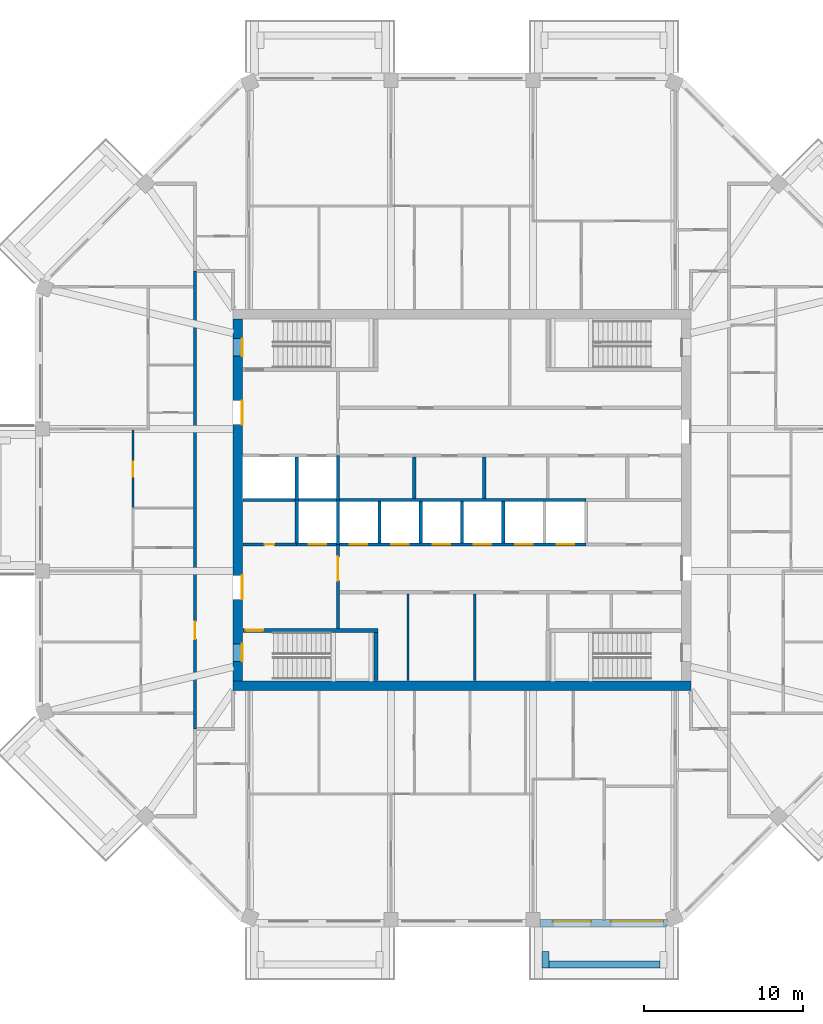
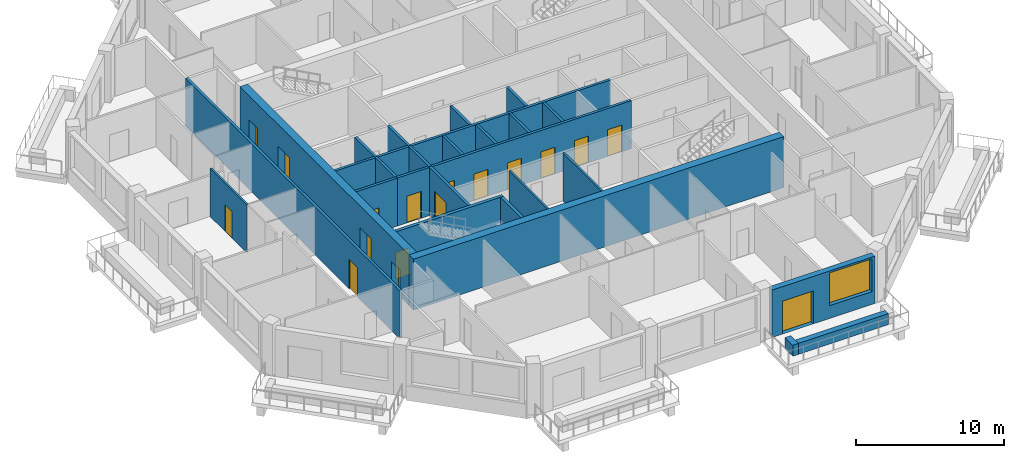
# One storey, part 4 of 12: 25 walls, 17 doors, 1 window, 18 openings.
"""IFC4 building model written with IfcOpenShell, lengths in metres."""

import ifcopenshell
import ifcopenshell.guid

model = None  # the IFC model being written
_history = None  # IfcOwnerHistory: only IFC2X3 demands one
_inside = {}  # id of a spatial element -> (the spatial element, [elements in it])
_under = {}  # id of a project, library or spatial element -> (it, [spatial elements below it])
_declared = {}  # id of a project -> (the project, [libraries it declares])
_typed = {}  # id of a type object -> (the type object, [elements of that type])
_made_of = {}  # id of a material, layer set ... -> (it, [elements and type objects made of it])


def new_model(schema):
    """Start an empty IFC model of exactly this schema.

    Asked for "IFC4X3", IfcOpenShell would pick the latest addendum, in which some entities
    have other attributes; the version numbers below select the first issue.
    IFC2X3 requires an IfcOwnerHistory on every rooted entity: one is made here for all.
    """
    global model, _history
    if schema == "IFC4X3":
        model = ifcopenshell.file(schema_version=(4, 3, 0, 0))
    else:
        model = ifcopenshell.file(schema=schema)
    _inside.clear()
    _under.clear()
    _declared.clear()
    _typed.clear()
    _made_of.clear()
    _history = None
    if model.schema == "IFC2X3":
        org = make("IfcOrganization", Name="unknown")
        user = make(
            "IfcPersonAndOrganization",
            ThePerson=make("IfcPerson", FamilyName="unknown"),
            TheOrganization=org,
        )
        app = make(
            "IfcApplication",
            ApplicationDeveloper=org,
            Version="unknown",
            ApplicationFullName="unknown",
            ApplicationIdentifier="unknown",
        )
        _history = make(
            "IfcOwnerHistory",
            OwningUser=user,
            OwningApplication=app,
            ChangeAction="ADDED",
            CreationDate=0,
        )
    return model


def make(cls, **values):
    """One entity of the class cls with the attributes given. An attribute that is None is left unset."""
    return model.create_entity(
        cls, **{name: value for name, value in values.items() if value is not None}
    )


def rooted(cls, **values):
    """An entity with a GlobalId (a new one), such as an element, a storey or a relation."""
    return make(cls, GlobalId=ifcopenshell.guid.new(), OwnerHistory=_history, **values)


def si_unit(unit_type, name, prefix=None):
    """IfcSIUnit, for example si_unit("LENGTHUNIT", "METRE", prefix="MILLI")."""
    return make("IfcSIUnit", UnitType=unit_type, Prefix=prefix, Name=name)


def assignment(units):
    """IfcUnitAssignment: the units of a project."""
    return None if units is None else make("IfcUnitAssignment", Units=units)


def point(xyz):
    """IfcCartesianPoint."""
    return None if xyz is None else make("IfcCartesianPoint", Coordinates=xyz)


def direction(xyz):
    """IfcDirection."""
    return None if xyz is None else make("IfcDirection", DirectionRatios=xyz)


def frame(location, z_axis=None, x_axis=None):
    """IfcAxis2Placement3D, a coordinate frame: its origin and axes. An axis left out is left unset."""
    return make(
        "IfcAxis2Placement3D",
        Location=point(location),
        Axis=direction(z_axis),
        RefDirection=direction(x_axis),
    )


def frame_2d(location, x_axis=None):
    """IfcAxis2Placement2D, a coordinate frame in the plane: its origin and x axis."""
    return make(
        "IfcAxis2Placement2D", Location=point(location), RefDirection=direction(x_axis)
    )


def origin():
    """The frame at (0, 0, 0) with its axes left unset."""
    return frame((0.0, 0.0, 0.0))


def place(relative_to, where):
    """IfcLocalPlacement: puts the frame where relative to a parent placement (None: the world)."""
    return make(
        "IfcLocalPlacement", PlacementRelTo=relative_to, RelativePlacement=where
    )


def context(
    kind, dimensions, precision=None, world=None, true_north=None, identifier=None
):
    """IfcGeometricRepresentationContext, for example the 3D "Model" context."""
    return make(
        "IfcGeometricRepresentationContext",
        ContextIdentifier=identifier,
        ContextType=kind,
        CoordinateSpaceDimension=dimensions,
        Precision=precision,
        WorldCoordinateSystem=world,
        TrueNorth=true_north,
    )


def subcontext(parent, identifier, kind, view, scale=None):
    """IfcGeometricRepresentationSubContext, for example "Body" below "Model"."""
    return make(
        "IfcGeometricRepresentationSubContext",
        ContextIdentifier=identifier,
        ContextType=kind,
        ParentContext=parent,
        TargetScale=scale,
        TargetView=view,
    )


def project(units=None, contexts=None):
    """IfcProject with its units and contexts."""
    return rooted(
        "IfcProject",
        Name="project",
        RepresentationContexts=contexts,
        UnitsInContext=assignment(units),
    )


def spatial(cls, under=None, at=None, **own):
    """A site, building, storey or space (cls), placed at a placement, below another one or the project."""
    s = rooted(cls, ObjectPlacement=at, **own)
    if under is not None:
        _under.setdefault(under.id(), (under, []))[1].append(s)
    return s


def profile(cls, at=None, kind="AREA", **sizes):
    """A parametric profile (cls). Its sizes go by their IFC names, for example OverallWidth=200.0."""
    return make(cls, ProfileType=kind, Position=at, **sizes)


def rectangle(**sizes):
    """IfcRectangleProfileDef."""
    return profile("IfcRectangleProfileDef", **sizes)


def extrude(swept, where, along, depth):
    """IfcExtrudedAreaSolid: the profile swept, set in the frame where, extruded along a direction by depth."""
    return make(
        "IfcExtrudedAreaSolid",
        SweptArea=swept,
        Position=where,
        ExtrudedDirection=direction(along),
        Depth=depth,
    )


def shape(context_of_items, identifier, shape_type, items):
    """IfcShapeRepresentation: the items that make up one representation, for example the "Body"."""
    return make(
        "IfcShapeRepresentation",
        ContextOfItems=context_of_items,
        RepresentationIdentifier=identifier,
        RepresentationType=shape_type,
        Items=items,
    )


def material(Name=None, Category=None):
    """IfcMaterial."""
    return make("IfcMaterial", Name=Name, Category=Category)


def layer(
    of_material, thickness, ventilated=None, Name=None, Category=None, Priority=None
):
    """IfcMaterialLayer: one layer of a wall or slab, of a material (None: an air gap)."""
    return make(
        "IfcMaterialLayer",
        Material=of_material,
        LayerThickness=thickness,
        IsVentilated=ventilated,
        Name=Name,
        Category=Category,
        Priority=Priority,
    )


def layer_set(layers, Name=None):
    """IfcMaterialLayerSet."""
    return make("IfcMaterialLayerSet", MaterialLayers=layers, LayerSetName=Name)


def made_of(thing, what):
    """Note that an element or type object is made of a material, layer set ...; save() writes the relation."""
    if what is not None:
        _made_of.setdefault(what.id(), (what, []))[1].append(thing)
    return thing


def type_object(cls, material=None, **own):
    """A type object (cls), such as IfcWallType, which elements share."""
    return made_of(rooted(cls, **own), material)


def element(
    cls,
    number,
    at=None,
    inside=None,
    cuts=None,
    type_object=None,
    material=None,
    context=None,
    identifier="Body",
    shape_type=None,
    held_by="IfcProductDefinitionShape",
    body=None,
    shapes=None,
    **own,
):
    """One element of the class cls, such as IfcWall. Its Tag is "e" and its number.

    at: its placement. inside: the storey or other place that contains it. cuts: it is an
    opening in that element (IfcRelVoidsElement). A single representation is given by context,
    identifier, shape_type and body (its items); several are given by shapes. held_by: the class
    of the entity that holds the representations. save() writes the other relations.
    """
    e = rooted(cls, Tag="e%d" % number, ObjectPlacement=at, **own)
    if body is not None:
        shapes = [shape(context, identifier, shape_type, body)]
    if shapes is not None:
        e.Representation = make(held_by, Representations=shapes)
    if inside is not None:
        _inside.setdefault(inside.id(), (inside, []))[1].append(e)
    if cuts is not None:
        rooted(
            "IfcRelVoidsElement", RelatingBuildingElement=cuts, RelatedOpeningElement=e
        )
    if type_object is not None:
        _typed.setdefault(type_object.id(), (type_object, []))[1].append(e)
    return made_of(e, material)


def fill(opening, filler):
    """IfcRelFillsElement: the door or window that sits in an opening."""
    return rooted(
        "IfcRelFillsElement",
        RelatingOpeningElement=opening,
        RelatedBuildingElement=filler,
    )


def aggregate(whole, parts):
    """IfcRelAggregates: a whole, such as a stair, and the parts it consists of."""
    return rooted("IfcRelAggregates", RelatingObject=whole, RelatedObjects=parts)


def save(model, path):
    """Write the relations noted so far, then the file.

    IfcRelAggregates (storeys below a building ...), IfcRelContainedInSpatialStructure (elements
    in a storey), IfcRelDefinesByType, IfcRelAssociatesMaterial and IfcRelDeclares: one each for
    every whole, place, type object, material and project.
    """
    for whole, parts in _under.values():
        aggregate(whole, parts)
    for where, things in _inside.values():
        rooted(
            "IfcRelContainedInSpatialStructure",
            RelatedElements=things,
            RelatingStructure=where,
        )
    for kind, things in _typed.values():
        rooted("IfcRelDefinesByType", RelatedObjects=things, RelatingType=kind)
    for what, things in _made_of.values():
        rooted("IfcRelAssociatesMaterial", RelatedObjects=things, RelatingMaterial=what)
    for by, libraries in _declared.values():
        rooted("IfcRelDeclares", RelatingContext=by, RelatedDefinitions=libraries)
    model.write(path)


model = new_model("IFC4")

# Units and contexts
model_context = context("Model", 3, precision=1e-05, world=origin(), true_north=direction((0.0, 1.0)))
body_context = subcontext(model_context, "Body", "Model", "MODEL_VIEW")
ifc_project = project(units=[si_unit("LENGTHUNIT", "METRE"), si_unit("AREAUNIT", "SQUARE_METRE"), si_unit("VOLUMEUNIT", "CUBIC_METRE"), si_unit("PLANEANGLEUNIT", "RADIAN"), si_unit("MASSUNIT", "GRAM", prefix="KILO")], contexts=[model_context])

# Site, building, storey
site_placement = place(None, origin())
site = spatial("IfcSite", under=ifc_project, at=site_placement, CompositionType="ELEMENT")
building_placement = place(site_placement, origin())
building = spatial("IfcBuilding", under=site, at=building_placement, Name="Msitu Wima Residences", CompositionType="ELEMENT")
storey_placement = place(building_placement, frame((0.0, 0.0, 218.10009765625)))
storey = spatial("IfcBuildingStorey", under=building, at=storey_placement, Name="L50", CompositionType="ELEMENT", Elevation=218.10009765625)

# Walls
ifc_material_1 = material(Name="Facing brick")
ifc_layer_1 = layer(ifc_material_1, 0.06494140625, Name="Facing brick")
ifc_material_2 = material(Name="Concrete C40/50", Category="concrete")
ifc_layer_2 = layer(ifc_material_2, 0.156005859375, Name="Concrete C40/50")
ifc_material_3 = material(Name="Waterproofing membrane")
ifc_layer_3 = layer(ifc_material_3, 0.00390625, Name="Waterproofing membrane")
ifc_material_4 = material(Name="Planting soil and planting")
ifc_layer_4 = layer(ifc_material_4, 0.22509765625, Name="Planting soil and planting")
ifc_layer_set_1 = layer_set([ifc_layer_1, ifc_layer_2, ifc_layer_3, ifc_layer_4], Name="Concrete C40/50")
wall_type_1 = type_object("IfcWallType", Name="Balcony planter PLANTER PL450", PredefinedType="USERDEFINED", material=ifc_layer_set_1)
wall_1_placement = place(storey_placement, frame((5.468505859375, -29.22509765625, 0.0), z_axis=(0.0, 0.0, 1.0), x_axis=(1.0, 0.0, 0.0)))
element("IfcWall", 1, at=wall_1_placement, inside=storey, type_object=wall_type_1, Name="Balcony planter S2 L50", ObjectType="PLANTER", PredefinedType="USERDEFINED", context=body_context, shape_type="SweptSolid", body=[
    extrude(rectangle(XDim=6.9873046875, YDim=0.449951171875, at=frame_2d((3.49365234375, 0.0))), origin(), (0.0, 0.0, 1.0), 0.89990234375),
])
wall_2_placement = place(storey_placement, frame((5.24365234375, -28.39990234375, 0.0), z_axis=(0.0, 0.0, 1.0), x_axis=(0.0, -1.0, 0.0)))
element("IfcWall", 2, at=wall_2_placement, inside=storey, type_object=wall_type_1, Name="Balcony planter S2 L50", ObjectType="PLANTER", PredefinedType="USERDEFINED", context=body_context, shape_type="SweptSolid", body=[
    extrude(rectangle(XDim=1.050048828125, YDim=0.449951171875, at=frame_2d((0.52490234375, 0.0))), origin(), (0.0, 0.0, 1.0), 0.89990234375),
])

# Wall, openings, door, window
ifc_material_5 = material(Name="Brick (red buff mix)", Category="masonry")
ifc_layer_5 = layer(ifc_material_5, 0.449951171875)
ifc_layer_set_2 = layer_set([ifc_layer_5], Name="Brick (red buff mix)")
wall_type_2 = type_object("IfcWallType", Name="Brick infill wall BW450", PredefinedType="SOLIDWALL", material=ifc_layer_set_2)
wall_3_placement = place(storey_placement, frame((4.918701171875, -26.625, 0.0), z_axis=(0.0, 0.0, 1.0), x_axis=(1.0, 0.0, 0.0)))
wall_3 = element("IfcWall", 3, at=wall_3_placement, inside=storey, type_object=wall_type_2, Name="Brick infill wall L50 S2", PredefinedType="SOLIDWALL", context=body_context, shape_type="SweptSolid", body=[
    extrude(rectangle(XDim=8.0, YDim=0.449951171875, at=frame_2d((4.0, 0.0))), origin(), (0.0, 0.0, 1.0), 3.89990234375),
])
opening_1_placement = place(wall_3_placement, frame((0.800048828125, 0.0, 0.0)))
opening_1 = element("IfcOpeningElement", 4, at=opening_1_placement, cuts=wall_3, Name="Opening D50-51.007", PredefinedType="OPENING", context=body_context, shape_type="SweptSolid", body=[
    extrude(rectangle(XDim=2.39990234375, YDim=2.699951171875, at=frame_2d((1.199951171875, 1.35009765625))), frame((0.0, 0.23486328125, 0.0), z_axis=(0.0, -1.0, 0.0), x_axis=(1.0, 0.0, 0.0)), (0.0, 0.0, 1.0), 0.469970703125),
])
opening_2_placement = place(wall_3_placement, frame((4.4501953125, 0.0, 1.050048828125)))
opening_2 = element("IfcOpeningElement", 5, at=opening_2_placement, cuts=wall_3, Name="Opening W50-51.019", PredefinedType="OPENING", context=body_context, shape_type="SweptSolid", body=[
    extrude(rectangle(XDim=3.300048828125, YDim=2.699951171875, at=frame_2d((1.64990234375, 1.35009765625))), frame((0.0, 0.23486328125, 0.0), z_axis=(0.0, -1.0, 0.0), x_axis=(1.0, 0.0, 0.0)), (0.0, 0.0, 1.0), 0.469970703125),
])
ifc_material_6 = material(Name="Anodised aluminium, bronze finish, clear low-emissivity double glazing", Category="aluminium")
door_type_1 = type_object("IfcDoorType", Name="Balcony door D2400x2700", OperationType="SLIDING_TO_LEFT", PredefinedType="DOOR", material=ifc_material_6)
door_1_placement = place(opening_1_placement, origin())
door_1 = element("IfcDoor", 6, at=door_1_placement, inside=storey, type_object=door_type_1, Name="Balcony door L50 S2", OperationType="SINGLE_SWING_LEFT", OverallHeight=2.699951171875, OverallWidth=2.39990234375, PredefinedType="DOOR", context=body_context, shape_type="SweptSolid", body=[
    extrude(rectangle(XDim=2.39990234375, YDim=2.699951171875, at=frame_2d((1.199951171875, 1.35009765625))), frame((0.0, 0.1298828125, 0.0), z_axis=(0.0, -1.0, 0.0), x_axis=(1.0, 0.0, 0.0)), (0.0, 0.0, 1.0), 0.050048828125),
])
fill(opening_1, door_1)
window_type = type_object("IfcWindowType", Name="Window W3300x2700", PartitioningType="DOUBLE_PANEL_VERTICAL", PredefinedType="WINDOW", material=ifc_material_6)
window_placement = place(opening_2_placement, origin())
window = element("IfcWindow", 7, at=window_placement, inside=storey, type_object=window_type, Name="Window L50 S2.2", OverallHeight=2.699951171875, OverallWidth=3.300048828125, PartitioningType="SINGLE_PANEL", PredefinedType="WINDOW", context=body_context, shape_type="SweptSolid", body=[
    extrude(rectangle(XDim=3.300048828125, YDim=2.699951171875, at=frame_2d((1.64990234375, 1.35009765625))), frame((0.0, 0.135009765625, 0.0), z_axis=(0.0, -1.0, 0.0), x_axis=(1.0, 0.0, 0.0)), (0.0, 0.0, 1.0), 0.06005859375),
])
fill(opening_2, window)

# Wall
ifc_material_7 = material(Name="Concrete C50/60", Category="concrete")
ifc_layer_6 = layer(ifc_material_7, 0.60009765625)
ifc_layer_set_3 = layer_set([ifc_layer_6], Name="Concrete C50/60")
wall_type_3 = type_object("IfcWallType", Name="Core wall CW600 C50/60", PredefinedType="SHEAR", material=ifc_layer_set_3)
wall_4_placement = place(storey_placement, frame((-14.39990234375, -11.699951171875, 0.0), z_axis=(0.0, 0.0, 1.0), x_axis=(1.0, 0.0, 0.0)))
element("IfcWall", 8, at=wall_4_placement, inside=storey, type_object=wall_type_3, Name="Core wall", PredefinedType="SHEAR", context=body_context, shape_type="SweptSolid", body=[
    extrude(rectangle(XDim=28.7998046875, YDim=0.60009765625, at=frame_2d((14.39990234375, 0.0))), origin(), (0.0, 0.0, 1.0), 4.199951171875),
])

# Wall, openings, doors
wall_5_placement = place(storey_placement, frame((-14.10009765625, -11.39990234375, 0.0), z_axis=(0.0, 0.0, 1.0), x_axis=(0.0, 1.0, 0.0)))
wall_5 = element("IfcWall", 9, at=wall_5_placement, inside=storey, type_object=wall_type_3, Name="Core wall", PredefinedType="SHEAR", context=body_context, shape_type="SweptSolid", body=[
    extrude(rectangle(XDim=22.7998046875, YDim=0.60009765625, at=frame_2d((11.39990234375, 0.0))), origin(), (0.0, 0.0, 1.0), 4.199951171875),
])
opening_3_placement = place(wall_5_placement, frame((20.449951171875, 0.0, 0.0)))
opening_3 = element("IfcOpeningElement", 10, at=opening_3_placement, cuts=wall_5, Name="Opening D50-51.080", PredefinedType="OPENING", context=body_context, shape_type="SweptSolid", body=[
    extrude(rectangle(XDim=1.10009765625, YDim=2.199951171875, at=frame_2d((0.550048828125, 1.10009765625))), frame((0.0, 0.31005859375, 0.0), z_axis=(0.0, -1.0, 0.0), x_axis=(1.0, 0.0, 0.0)), (0.0, 0.0, 1.0), 0.6201171875),
])
opening_4_placement = place(wall_5_placement, frame((1.25, 0.0, 0.0)))
opening_4 = element("IfcOpeningElement", 11, at=opening_4_placement, cuts=wall_5, Name="Opening D50-51.082", PredefinedType="OPENING", context=body_context, shape_type="SweptSolid", body=[
    extrude(rectangle(XDim=1.10009765625, YDim=2.199951171875, at=frame_2d((0.550048828125, 1.10009765625))), frame((0.0, 0.31005859375, 0.0), z_axis=(0.0, -1.0, 0.0), x_axis=(1.0, 0.0, 0.0)), (0.0, 0.0, 1.0), 0.6201171875),
])
opening_5_placement = place(wall_5_placement, frame((16.14990234375, 0.0, 0.0)))
opening_5 = element("IfcOpeningElement", 12, at=opening_5_placement, cuts=wall_5, Name="Opening D50-51.061", PredefinedType="OPENING", context=body_context, shape_type="SweptSolid", body=[
    extrude(rectangle(XDim=1.5, YDim=2.39990234375, at=frame_2d((0.75, 1.199951171875))), frame((0.0, 0.31005859375, 0.0), z_axis=(0.0, -1.0, 0.0), x_axis=(1.0, 0.0, 0.0)), (0.0, 0.0, 1.0), 0.6201171875),
])
opening_6_placement = place(wall_5_placement, frame((5.14990234375, 0.0, 0.0)))
opening_6 = element("IfcOpeningElement", 13, at=opening_6_placement, cuts=wall_5, Name="Opening D50-51.063", PredefinedType="OPENING", context=body_context, shape_type="SweptSolid", body=[
    extrude(rectangle(XDim=1.5, YDim=2.39990234375, at=frame_2d((0.75, 1.199951171875))), frame((0.0, 0.31005859375, 0.0), z_axis=(0.0, -1.0, 0.0), x_axis=(1.0, 0.0, 0.0)), (0.0, 0.0, 1.0), 0.6201171875),
])
ifc_material_8 = material(Name="Steel framed glazed door, fire resisting", Category="steel")
door_type_2 = type_object("IfcDoorType", Name="Lobby door D07 1500x2400", OperationType="DOUBLE_DOOR_SINGLE_SWING", PredefinedType="DOOR", material=ifc_material_8)
door_2_placement = place(opening_5_placement, origin())
door_2 = element("IfcDoor", 14, at=door_2_placement, inside=storey, type_object=door_type_2, Name="Lobby door", OperationType="DOUBLE_DOOR_SINGLE_SWING", OverallHeight=2.39990234375, OverallWidth=1.5, PredefinedType="DOOR", context=body_context, shape_type="SweptSolid", body=[
    extrude(rectangle(XDim=1.5, YDim=2.39990234375, at=frame_2d((0.75, 1.199951171875))), frame((0.0, -0.2451171875, 0.0), z_axis=(0.0, -1.0, 0.0), x_axis=(1.0, 0.0, 0.0)), (0.0, 0.0, 1.0), 0.050048828125),
])
fill(opening_5, door_2)
door_3_placement = place(opening_6_placement, origin())
door_3 = element("IfcDoor", 15, at=door_3_placement, inside=storey, type_object=door_type_2, Name="Lobby door", OperationType="DOUBLE_DOOR_SINGLE_SWING", OverallHeight=2.39990234375, OverallWidth=1.5, PredefinedType="DOOR", context=body_context, shape_type="SweptSolid", body=[
    extrude(rectangle(XDim=1.5, YDim=2.39990234375, at=frame_2d((0.75, 1.199951171875))), frame((0.0, -0.2451171875, 0.0), z_axis=(0.0, -1.0, 0.0), x_axis=(1.0, 0.0, 0.0)), (0.0, 0.0, 1.0), 0.050048828125),
])
fill(opening_6, door_3)
ifc_material_9 = material(Name="Steel door, fire resisting, panic bar", Category="steel")
door_type_3 = type_object("IfcDoorType", Name="Stair door D06 1100x2200", OperationType="SINGLE_SWING_LEFT", PredefinedType="DOOR", material=ifc_material_9)
door_4_placement = place(opening_3_placement, origin())
door_4 = element("IfcDoor", 16, at=door_4_placement, inside=storey, type_object=door_type_3, Name="Stair door", OperationType="SINGLE_SWING_RIGHT", OverallHeight=2.199951171875, OverallWidth=1.10009765625, PredefinedType="DOOR", context=body_context, shape_type="SweptSolid", body=[
    extrude(rectangle(XDim=1.10009765625, YDim=2.199951171875, at=frame_2d((0.550048828125, 1.10009765625))), frame((0.0, -0.2451171875, 0.0), z_axis=(0.0, -1.0, 0.0), x_axis=(1.0, 0.0, 0.0)), (0.0, 0.0, 1.0), 0.050048828125),
])
fill(opening_3, door_4)
door_5_placement = place(opening_4_placement, origin())
door_5 = element("IfcDoor", 17, at=door_5_placement, inside=storey, type_object=door_type_3, Name="Stair door", OperationType="SINGLE_SWING_LEFT", OverallHeight=2.199951171875, OverallWidth=1.10009765625, PredefinedType="DOOR", context=body_context, shape_type="SweptSolid", body=[
    extrude(rectangle(XDim=1.10009765625, YDim=2.199951171875, at=frame_2d((0.550048828125, 1.10009765625))), frame((0.0, -0.2451171875, 0.0), z_axis=(0.0, -1.0, 0.0), x_axis=(1.0, 0.0, 0.0)), (0.0, 0.0, 1.0), 0.050048828125),
])
fill(opening_4, door_5)

# Wall, opening, door
ifc_material_10 = material(Name="Plaster")
ifc_layer_7 = layer(ifc_material_10, 0.011962890625, Name="Plaster")
ifc_material_11 = material(Name="Concrete blockwork", Category="masonry")
ifc_layer_8 = layer(ifc_material_11, 0.176025390625, Name="Concrete blockwork")
ifc_layer_9 = layer(ifc_material_10, 0.011962890625, Name="Plaster")
ifc_layer_set_4 = layer_set([ifc_layer_7, ifc_layer_8, ifc_layer_9], Name="Concrete blockwork")
wall_type_4 = type_object("IfcWallType", Name="Corridor wall FW200", PredefinedType="PARTITIONING", material=ifc_layer_set_4)
wall_6_placement = place(storey_placement, frame((-16.800048828125, -14.39990234375, 0.0), z_axis=(0.0, 0.0, 1.0), x_axis=(0.0, 1.0, 0.0)))
wall_6 = element("IfcWall", 18, at=wall_6_placement, inside=storey, type_object=wall_type_4, Name="Corridor wall", PredefinedType="PARTITIONING", context=body_context, shape_type="SweptSolid", body=[
    extrude(rectangle(XDim=28.7998046875, YDim=0.199951171875, at=frame_2d((14.39990234375, 0.0))), origin(), (0.0, 0.0, 1.0), 3.949951171875),
])
opening_7_placement = place(wall_6_placement, frame((5.64990234375, 0.0, 0.0)))
opening_7 = element("IfcOpeningElement", 19, at=opening_7_placement, cuts=wall_6, Name="Opening D50-51.035", PredefinedType="OPENING", context=body_context, shape_type="SweptSolid", body=[
    extrude(rectangle(XDim=1.10009765625, YDim=2.39990234375, at=frame_2d((0.550048828125, 1.199951171875))), frame((0.0, 0.10986328125, 0.0), z_axis=(0.0, -1.0, 0.0), x_axis=(1.0, 0.0, 0.0)), (0.0, 0.0, 1.0), 0.219970703125),
])
ifc_material_12 = material(Name="Timber flush door, fire resisting, self-closing", Category="wood")
door_type_4 = type_object("IfcDoorType", Name="Flat entrance door D01 1100x2400", OperationType="SINGLE_SWING_LEFT", PredefinedType="DOOR", material=ifc_material_12)
door_6_placement = place(opening_7_placement, origin())
door_6 = element("IfcDoor", 20, at=door_6_placement, inside=storey, type_object=door_type_4, Name="Flat entrance door", OperationType="SINGLE_SWING_LEFT", OverallHeight=2.39990234375, OverallWidth=1.10009765625, PredefinedType="DOOR", context=body_context, shape_type="SweptSolid", body=[
    extrude(rectangle(XDim=1.10009765625, YDim=2.39990234375, at=frame_2d((0.550048828125, 1.199951171875))), frame((0.0, 0.02490234375, 0.0), z_axis=(0.0, -1.0, 0.0), x_axis=(1.0, 0.0, 0.0)), (0.0, 0.0, 1.0), 0.050048828125),
])
fill(opening_7, door_6)

wall_7_placement = place(storey_placement, frame((-7.800048828125, -8.074951171875, 0.0), z_axis=(0.0, 0.0, 1.0), x_axis=(0.0, 1.0, 0.0)))
wall_7 = element("IfcWall", 21, at=wall_7_placement, inside=storey, type_object=wall_type_4, Name="Corridor wall", PredefinedType="PARTITIONING", context=body_context, shape_type="SweptSolid", body=[
    extrude(rectangle(XDim=5.27490234375, YDim=0.199951171875, at=frame_2d((2.637451171875, 0.0))), origin(), (0.0, 0.0, 1.0), 3.949951171875),
])
opening_8_placement = place(wall_7_placement, frame((3.0, 0.0, 0.0)))
opening_8 = element("IfcOpeningElement", 22, at=opening_8_placement, cuts=wall_7, Name="Opening D50-51.064", PredefinedType="OPENING", context=body_context, shape_type="SweptSolid", body=[
    extrude(rectangle(XDim=1.5, YDim=2.39990234375, at=frame_2d((0.75, 1.199951171875))), frame((0.0, 0.10986328125, 0.0), z_axis=(0.0, -1.0, 0.0), x_axis=(1.0, 0.0, 0.0)), (0.0, 0.0, 1.0), 0.219970703125),
])
door_7_placement = place(opening_8_placement, origin())
door_7 = element("IfcDoor", 23, at=door_7_placement, inside=storey, type_object=door_type_2, Name="Lobby door", OperationType="DOUBLE_DOOR_SINGLE_SWING", OverallHeight=2.39990234375, OverallWidth=1.5, PredefinedType="DOOR", context=body_context, shape_type="SweptSolid", body=[
    extrude(rectangle(XDim=1.5, YDim=2.39990234375, at=frame_2d((0.75, 1.199951171875))), frame((0.0, 0.02490234375, 0.0), z_axis=(0.0, -1.0, 0.0), x_axis=(1.0, 0.0, 0.0)), (0.0, 0.0, 1.0), 0.050048828125),
])
fill(opening_8, door_7)

ifc_layer_10 = layer(ifc_material_10, 0.011962890625, Name="Plaster")
ifc_layer_11 = layer(ifc_material_11, 0.1259765625, Name="Concrete blockwork")
ifc_layer_12 = layer(ifc_material_10, 0.011962890625, Name="Plaster")
ifc_layer_set_5 = layer_set([ifc_layer_10, ifc_layer_11, ifc_layer_12], Name="Concrete blockwork")
wall_type_5 = type_object("IfcWallType", Name="Partition PW150", PredefinedType="PARTITIONING", material=ifc_layer_set_5)
wall_8_placement = place(storey_placement, frame((-20.699951171875, -0.5, 0.0), z_axis=(0.0, 0.0, 1.0), x_axis=(0.0, 1.0, 0.0)))
wall_8 = element("IfcWall", 24, at=wall_8_placement, inside=storey, type_object=wall_type_5, Name="Partition", PredefinedType="PARTITIONING", context=body_context, shape_type="SweptSolid", body=[
    extrude(rectangle(XDim=4.8935546875, YDim=0.14990234375, at=frame_2d((2.44677734375, 0.0))), origin(), (0.0, 0.0, 1.0), 3.949951171875),
])
opening_9_placement = place(wall_8_placement, frame((1.949951171875, 0.0, 0.0)))
opening_9 = element("IfcOpeningElement", 25, at=opening_9_placement, cuts=wall_8, Name="Opening D50-51.044", PredefinedType="OPENING", context=body_context, shape_type="SweptSolid", body=[
    extrude(rectangle(XDim=0.949951171875, YDim=2.199951171875, at=frame_2d((0.47509765625, 1.10009765625))), frame((0.0, 0.0849609375, 0.0), z_axis=(0.0, -1.0, 0.0), x_axis=(1.0, 0.0, 0.0)), (0.0, 0.0, 1.0), 0.169921875),
])
ifc_material_13 = material(Name="Timber flush door", Category="wood")
door_type_5 = type_object("IfcDoorType", Name="Room door D12 950x2200", OperationType="SINGLE_SWING_LEFT", PredefinedType="DOOR", material=ifc_material_13)
door_8_placement = place(opening_9_placement, origin())
door_8 = element("IfcDoor", 26, at=door_8_placement, inside=storey, type_object=door_type_5, Name="Room door", OperationType="SINGLE_SWING_RIGHT", OverallHeight=2.199951171875, OverallWidth=0.949951171875, PredefinedType="DOOR", context=body_context, shape_type="SweptSolid", body=[
    extrude(rectangle(XDim=0.949951171875, YDim=2.199951171875, at=frame_2d((0.47509765625, 1.10009765625))), frame((0.0, 0.02490234375, 0.0), z_axis=(0.0, -1.0, 0.0), x_axis=(1.0, 0.0, 0.0)), (0.0, 0.0, 1.0), 0.050048828125),
])
fill(opening_9, door_8)

# Walls
for number, where, z_axis, x_axis, name in (
    (27, (-3.39990234375, -11.3701171875, 0.0), (0.0, 0.0, 1.0), (0.0, 1.0, 0.0), "Partition"),
    (28, (0.800048828125, -11.3701171875, 0.0), (0.0, 0.0, 1.0), (0.0, 1.0, 0.0), "Partition"),
):
    element("IfcWall", number, at=place(storey_placement, frame(where, z_axis=z_axis, x_axis=x_axis)), inside=storey, type_object=wall_type_5, Name=name, PredefinedType="PARTITIONING", context=body_context, shape_type="SweptSolid", body=[
        extrude(rectangle(XDim=5.47021484375, YDim=0.14990234375, at=frame_2d((2.735107421875, 0.0))), origin(), (0.0, 0.0, 1.0), 3.949951171875),
    ])

# Wall, opening, door
ifc_layer_13 = layer(ifc_material_10, 0.011962890625, Name="Plaster")
ifc_material_14 = material(Name="Reinforced concrete blockwork", Category="masonry")
ifc_layer_14 = layer(ifc_material_14, 0.176025390625, Name="Reinforced concrete blockwork")
ifc_layer_15 = layer(ifc_material_10, 0.011962890625, Name="Plaster")
ifc_layer_set_6 = layer_set([ifc_layer_13, ifc_layer_14, ifc_layer_15], Name="Reinforced concrete blockwork")
wall_type_6 = type_object("IfcWallType", Name="Plant and riser wall PL200", PredefinedType="PARTITIONING", material=ifc_layer_set_6)
wall_9_placement = place(storey_placement, frame((-13.77001953125, -2.800048828125, 0.0), z_axis=(0.0, 0.0, 1.0), x_axis=(1.0, 0.0, 0.0)))
wall_9 = element("IfcWall", 29, at=wall_9_placement, inside=storey, type_object=wall_type_6, Name="Plant and riser wall", PredefinedType="PARTITIONING", context=body_context, shape_type="SweptSolid", body=[
    extrude(rectangle(XDim=3.3701171875, YDim=0.199951171875, at=frame_2d((1.68505859375, 0.0))), origin(), (0.0, 0.0, 1.0), 3.949951171875),
])
opening_10_placement = place(wall_9_placement, frame((1.35009765625, 0.0, 0.0)))
opening_10 = element("IfcOpeningElement", 30, at=opening_10_placement, cuts=wall_9, Name="Opening D50-51.079", PredefinedType="OPENING", context=body_context, shape_type="SweptSolid", body=[
    extrude(rectangle(XDim=0.60009765625, YDim=2.0, at=frame_2d((0.300048828125, 1.0))), frame((0.0, 0.10986328125, 0.0), z_axis=(0.0, -1.0, 0.0), x_axis=(1.0, 0.0, 0.0)), (0.0, 0.0, 1.0), 0.219970703125),
])
ifc_material_15 = material(Name="Steel access door, fire resisting", Category="steel")
door_type_6 = type_object("IfcDoorType", Name="Riser access door D08 600x2000", OperationType="SINGLE_SWING_LEFT", PredefinedType="DOOR", material=ifc_material_15)
door_9_placement = place(opening_10_placement, origin())
door_9 = element("IfcDoor", 31, at=door_9_placement, inside=storey, type_object=door_type_6, Name="Riser access door", OperationType="SINGLE_SWING_RIGHT", OverallHeight=2.0, OverallWidth=0.60009765625, PredefinedType="DOOR", context=body_context, shape_type="SweptSolid", body=[
    extrude(rectangle(XDim=0.60009765625, YDim=2.0, at=frame_2d((0.300048828125, 1.0))), frame((0.0, 0.02490234375, 0.0), z_axis=(0.0, -1.0, 0.0), x_axis=(1.0, 0.0, 0.0)), (0.0, 0.0, 1.0), 0.050048828125),
])
fill(opening_10, door_9)

# Walls
for number, where, z_axis, x_axis, name in (
    (32, (-3.0, 0.10009765625, 0.0), (0.0, 0.0, 1.0), (0.0, 1.0, 0.0), "Plant and riser wall"),
    (33, (1.39990234375, 0.10009765625, 0.0), (0.0, 0.0, 1.0), (0.0, 1.0, 0.0), "Plant and riser wall"),
):
    element("IfcWall", number, at=place(storey_placement, frame(where, z_axis=z_axis, x_axis=x_axis)), inside=storey, type_object=wall_type_6, Name=name, PredefinedType="PARTITIONING", context=body_context, shape_type="SweptSolid", body=[
        extrude(rectangle(XDim=2.599853515625, YDim=0.199951171875, at=frame_2d((1.2998046875, 0.0))), origin(), (0.0, 0.0, 1.0), 3.949951171875),
    ])
ifc_material_16 = material(Name="Fire-rated board")
ifc_layer_16 = layer(ifc_material_16, 0.02490234375, Name="Fire-rated board")
ifc_material_17 = material(Name="Light-gauge stud framing with mineral wool")
ifc_layer_17 = layer(ifc_material_17, 0.14990234375, Name="Light-gauge stud framing with mineral wool")
ifc_layer_18 = layer(ifc_material_16, 0.02490234375, Name="Fire-rated board")
ifc_layer_set_7 = layer_set([ifc_layer_16, ifc_layer_17, ifc_layer_18], Name="Light-gauge stud framing with mineral wool")
wall_type_7 = type_object("IfcWallType", Name="Shaft wall SH200", PredefinedType="PARTITIONING", material=ifc_layer_set_7)
wall_10_placement = place(storey_placement, frame((-13.77001953125, 0.0, 0.0), z_axis=(0.0, 0.0, 1.0), x_axis=(1.0, 0.0, 0.0)))
element("IfcWall", 34, at=wall_10_placement, inside=storey, type_object=wall_type_7, Name="Shaft wall", PredefinedType="PARTITIONING", context=body_context, shape_type="SweptSolid", body=[
    extrude(rectangle(XDim=21.570068359375, YDim=0.199951171875, at=frame_2d((10.78515625, 0.0))), origin(), (0.0, 0.0, 1.0), 3.949951171875),
])
wall_11_placement = place(storey_placement, frame((-10.39990234375, -2.699951171875, 0.0), z_axis=(0.0, 0.0, 1.0), x_axis=(0.0, 1.0, 0.0)))
element("IfcWall", 35, at=wall_11_placement, inside=storey, type_object=wall_type_7, Name="Shaft wall", PredefinedType="PARTITIONING", context=body_context, shape_type="SweptSolid", body=[
    extrude(rectangle(XDim=2.699951171875, YDim=0.199951171875, at=frame_2d((1.35009765625, 0.0))), origin(), (0.0, 0.0, 1.0), 3.949951171875),
])

# Wall, openings, doors
wall_12_placement = place(storey_placement, frame((-10.39990234375, -2.800048828125, 0.0), z_axis=(0.0, 0.0, 1.0), x_axis=(1.0, 0.0, 0.0)))
wall_12 = element("IfcWall", 36, at=wall_12_placement, inside=storey, type_object=wall_type_7, Name="Shaft wall", PredefinedType="PARTITIONING", context=body_context, shape_type="SweptSolid", body=[
    extrude(rectangle(XDim=18.199951171875, YDim=0.199951171875, at=frame_2d((9.10009765625, 0.0))), origin(), (0.0, 0.0, 1.0), 3.949951171875),
])
opening_11_placement = place(wall_12_placement, frame((0.75, 0.0, 0.0)))
opening_11 = element("IfcOpeningElement", 37, at=opening_11_placement, cuts=wall_12, Name="Opening LD", PredefinedType="OPENING", context=body_context, shape_type="SweptSolid", body=[
    extrude(rectangle(XDim=1.10009765625, YDim=2.199951171875, at=frame_2d((0.550048828125, 1.10009765625))), frame((0.0, 0.10986328125, 0.0), z_axis=(0.0, -1.0, 0.0), x_axis=(1.0, 0.0, 0.0)), (0.0, 0.0, 1.0), 0.219970703125),
])
opening_12_placement = place(wall_12_placement, frame((3.35009765625, 0.0, 0.0)))
opening_12 = element("IfcOpeningElement", 38, at=opening_12_placement, cuts=wall_12, Name="Opening LD", PredefinedType="OPENING", context=body_context, shape_type="SweptSolid", body=[
    extrude(rectangle(XDim=1.10009765625, YDim=2.199951171875, at=frame_2d((0.550048828125, 1.10009765625))), frame((0.0, 0.10986328125, 0.0), z_axis=(0.0, -1.0, 0.0), x_axis=(1.0, 0.0, 0.0)), (0.0, 0.0, 1.0), 0.219970703125),
])
opening_13_placement = place(wall_12_placement, frame((5.949951171875, 0.0, 0.0)))
opening_13 = element("IfcOpeningElement", 39, at=opening_13_placement, cuts=wall_12, Name="Opening LD", PredefinedType="OPENING", context=body_context, shape_type="SweptSolid", body=[
    extrude(rectangle(XDim=1.10009765625, YDim=2.199951171875, at=frame_2d((0.550048828125, 1.10009765625))), frame((0.0, 0.10986328125, 0.0), z_axis=(0.0, -1.0, 0.0), x_axis=(1.0, 0.0, 0.0)), (0.0, 0.0, 1.0), 0.219970703125),
])
opening_14_placement = place(wall_12_placement, frame((8.550048828125, 0.0, 0.0)))
opening_14 = element("IfcOpeningElement", 40, at=opening_14_placement, cuts=wall_12, Name="Opening LD", PredefinedType="OPENING", context=body_context, shape_type="SweptSolid", body=[
    extrude(rectangle(XDim=1.10009765625, YDim=2.199951171875, at=frame_2d((0.550048828125, 1.10009765625))), frame((0.0, 0.10986328125, 0.0), z_axis=(0.0, -1.0, 0.0), x_axis=(1.0, 0.0, 0.0)), (0.0, 0.0, 1.0), 0.219970703125),
])
opening_15_placement = place(wall_12_placement, frame((11.14990234375, 0.0, 0.0)))
opening_15 = element("IfcOpeningElement", 41, at=opening_15_placement, cuts=wall_12, Name="Opening LD", PredefinedType="OPENING", context=body_context, shape_type="SweptSolid", body=[
    extrude(rectangle(XDim=1.10009765625, YDim=2.199951171875, at=frame_2d((0.550048828125, 1.10009765625))), frame((0.0, 0.10986328125, 0.0), z_axis=(0.0, -1.0, 0.0), x_axis=(1.0, 0.0, 0.0)), (0.0, 0.0, 1.0), 0.219970703125),
])
opening_16_placement = place(wall_12_placement, frame((13.75, 0.0, 0.0)))
opening_16 = element("IfcOpeningElement", 42, at=opening_16_placement, cuts=wall_12, Name="Opening LD", PredefinedType="OPENING", context=body_context, shape_type="SweptSolid", body=[
    extrude(rectangle(XDim=1.10009765625, YDim=2.199951171875, at=frame_2d((0.550048828125, 1.10009765625))), frame((0.0, 0.10986328125, 0.0), z_axis=(0.0, -1.0, 0.0), x_axis=(1.0, 0.0, 0.0)), (0.0, 0.0, 1.0), 0.219970703125),
])
opening_17_placement = place(wall_12_placement, frame((16.35009765625, 0.0, 0.0)))
opening_17 = element("IfcOpeningElement", 43, at=opening_17_placement, cuts=wall_12, Name="Opening LD", PredefinedType="OPENING", context=body_context, shape_type="SweptSolid", body=[
    extrude(rectangle(XDim=1.10009765625, YDim=2.199951171875, at=frame_2d((0.550048828125, 1.10009765625))), frame((0.0, 0.10986328125, 0.0), z_axis=(0.0, -1.0, 0.0), x_axis=(1.0, 0.0, 0.0)), (0.0, 0.0, 1.0), 0.219970703125),
])
ifc_material_18 = material(Name="Stainless steel centre-opening landing door, rated", Category="steel")
door_type_7 = type_object("IfcDoorType", Name="Lift landing door LD 1100x2200", OperationType="DOUBLE_DOOR_SLIDING", PredefinedType="DOOR", material=ifc_material_18)
door_10_placement = place(opening_11_placement, origin())
door_10 = element("IfcDoor", 44, at=door_10_placement, inside=storey, type_object=door_type_7, Name="Lift landing door LD3", OperationType="DOUBLE_DOOR_SLIDING", OverallHeight=2.199951171875, OverallWidth=1.10009765625, PredefinedType="DOOR", context=body_context, shape_type="SweptSolid", body=[
    extrude(rectangle(XDim=1.10009765625, YDim=2.199951171875, at=frame_2d((0.550048828125, 1.10009765625))), frame((0.0, 0.02490234375, 0.0), z_axis=(0.0, -1.0, 0.0), x_axis=(1.0, 0.0, 0.0)), (0.0, 0.0, 1.0), 0.050048828125),
])
fill(opening_11, door_10)
door_11_placement = place(opening_12_placement, origin())
door_11 = element("IfcDoor", 45, at=door_11_placement, inside=storey, type_object=door_type_7, Name="Lift landing door LD5", OperationType="DOUBLE_DOOR_SLIDING", OverallHeight=2.199951171875, OverallWidth=1.10009765625, PredefinedType="DOOR", context=body_context, shape_type="SweptSolid", body=[
    extrude(rectangle(XDim=1.10009765625, YDim=2.199951171875, at=frame_2d((0.550048828125, 1.10009765625))), frame((0.0, 0.02490234375, 0.0), z_axis=(0.0, -1.0, 0.0), x_axis=(1.0, 0.0, 0.0)), (0.0, 0.0, 1.0), 0.050048828125),
])
fill(opening_12, door_11)
door_12_placement = place(opening_13_placement, origin())
door_12 = element("IfcDoor", 46, at=door_12_placement, inside=storey, type_object=door_type_7, Name="Lift landing door LD7", OperationType="DOUBLE_DOOR_SLIDING", OverallHeight=2.199951171875, OverallWidth=1.10009765625, PredefinedType="DOOR", context=body_context, shape_type="SweptSolid", body=[
    extrude(rectangle(XDim=1.10009765625, YDim=2.199951171875, at=frame_2d((0.550048828125, 1.10009765625))), frame((0.0, 0.02490234375, 0.0), z_axis=(0.0, -1.0, 0.0), x_axis=(1.0, 0.0, 0.0)), (0.0, 0.0, 1.0), 0.050048828125),
])
fill(opening_13, door_12)
door_13_placement = place(opening_14_placement, origin())
door_13 = element("IfcDoor", 47, at=door_13_placement, inside=storey, type_object=door_type_7, Name="Lift landing door LD9", OperationType="DOUBLE_DOOR_SLIDING", OverallHeight=2.199951171875, OverallWidth=1.10009765625, PredefinedType="DOOR", context=body_context, shape_type="SweptSolid", body=[
    extrude(rectangle(XDim=1.10009765625, YDim=2.199951171875, at=frame_2d((0.550048828125, 1.10009765625))), frame((0.0, 0.02490234375, 0.0), z_axis=(0.0, -1.0, 0.0), x_axis=(1.0, 0.0, 0.0)), (0.0, 0.0, 1.0), 0.050048828125),
])
fill(opening_14, door_13)
door_14_placement = place(opening_15_placement, origin())
door_14 = element("IfcDoor", 48, at=door_14_placement, inside=storey, type_object=door_type_7, Name="Lift landing door LD11", OperationType="DOUBLE_DOOR_SLIDING", OverallHeight=2.199951171875, OverallWidth=1.10009765625, PredefinedType="DOOR", context=body_context, shape_type="SweptSolid", body=[
    extrude(rectangle(XDim=1.10009765625, YDim=2.199951171875, at=frame_2d((0.550048828125, 1.10009765625))), frame((0.0, 0.02490234375, 0.0), z_axis=(0.0, -1.0, 0.0), x_axis=(1.0, 0.0, 0.0)), (0.0, 0.0, 1.0), 0.050048828125),
])
fill(opening_15, door_14)
door_15_placement = place(opening_16_placement, origin())
door_15 = element("IfcDoor", 49, at=door_15_placement, inside=storey, type_object=door_type_7, Name="Lift landing door LD13", OperationType="DOUBLE_DOOR_SLIDING", OverallHeight=2.199951171875, OverallWidth=1.10009765625, PredefinedType="DOOR", context=body_context, shape_type="SweptSolid", body=[
    extrude(rectangle(XDim=1.10009765625, YDim=2.199951171875, at=frame_2d((0.550048828125, 1.10009765625))), frame((0.0, 0.02490234375, 0.0), z_axis=(0.0, -1.0, 0.0), x_axis=(1.0, 0.0, 0.0)), (0.0, 0.0, 1.0), 0.050048828125),
])
fill(opening_16, door_15)
door_16_placement = place(opening_17_placement, origin())
door_16 = element("IfcDoor", 50, at=door_16_placement, inside=storey, type_object=door_type_7, Name="Lift landing door LD15", OperationType="DOUBLE_DOOR_SLIDING", OverallHeight=2.199951171875, OverallWidth=1.10009765625, PredefinedType="DOOR", context=body_context, shape_type="SweptSolid", body=[
    extrude(rectangle(XDim=1.10009765625, YDim=2.199951171875, at=frame_2d((0.550048828125, 1.10009765625))), frame((0.0, 0.02490234375, 0.0), z_axis=(0.0, -1.0, 0.0), x_axis=(1.0, 0.0, 0.0)), (0.0, 0.0, 1.0), 0.050048828125),
])
fill(opening_17, door_16)

# Walls
wall_13_placement = place(storey_placement, frame((-10.39990234375, 0.0, 0.0), z_axis=(0.0, 0.0, 1.0), x_axis=(0.0, 1.0, 0.0)))
element("IfcWall", 51, at=wall_13_placement, inside=storey, type_object=wall_type_7, Name="Shaft wall", PredefinedType="PARTITIONING", context=body_context, shape_type="SweptSolid", body=[
    extrude(rectangle(XDim=2.699951171875, YDim=0.199951171875, at=frame_2d((1.35009765625, 0.0))), origin(), (0.0, 0.0, 1.0), 3.949951171875),
])
for number, where, z_axis, x_axis, name in (
    (52, (-7.800048828125, -2.800048828125, 0.0), (0.0, 0.0, 1.0), (0.0, 1.0, 0.0), "Shaft wall"),
    (53, (-7.800048828125, 0.0, 0.0), (0.0, 0.0, 1.0), (0.0, 1.0, 0.0), "Shaft wall"),
):
    element("IfcWall", number, at=place(storey_placement, frame(where, z_axis=z_axis, x_axis=x_axis)), inside=storey, type_object=wall_type_7, Name=name, PredefinedType="PARTITIONING", context=body_context, shape_type="SweptSolid", body=[
        extrude(rectangle(XDim=2.800048828125, YDim=0.199951171875, at=frame_2d((1.39990234375, 0.0))), origin(), (0.0, 0.0, 1.0), 3.949951171875),
    ])
for number, where, z_axis, x_axis, name in (
    (54, (-5.199951171875, -2.699951171875, 0.0), (0.0, 0.0, 1.0), (0.0, 1.0, 0.0), "Shaft wall"),
    (55, (-2.60009765625, -2.699951171875, 0.0), (0.0, 0.0, 1.0), (0.0, 1.0, 0.0), "Shaft wall"),
    (56, (0.0, -2.699951171875, 0.0), (0.0, 0.0, 1.0), (0.0, 1.0, 0.0), "Shaft wall"),
    (57, (2.60009765625, -2.699951171875, 0.0), (0.0, 0.0, 1.0), (0.0, 1.0, 0.0), "Shaft wall"),
):
    element("IfcWall", number, at=place(storey_placement, frame(where, z_axis=z_axis, x_axis=x_axis)), inside=storey, type_object=wall_type_7, Name=name, PredefinedType="PARTITIONING", context=body_context, shape_type="SweptSolid", body=[
        extrude(rectangle(XDim=2.599853515625, YDim=0.199951171875, at=frame_2d((1.2998046875, 0.0))), origin(), (0.0, 0.0, 1.0), 3.949951171875),
    ])

# Wall, opening, door
ifc_layer_19 = layer(ifc_material_7, 0.25)
ifc_layer_set_8 = layer_set([ifc_layer_19], Name="Concrete C50/60")
wall_type_8 = type_object("IfcWallType", Name="Stair enclosure wall SW250", PredefinedType="SHEAR", material=ifc_layer_set_8)
wall_14_placement = place(storey_placement, frame((-13.77001953125, -8.199951171875, 0.0), z_axis=(0.0, 0.0, 1.0), x_axis=(1.0, 0.0, 0.0)))
wall_14 = element("IfcWall", 58, at=wall_14_placement, inside=storey, type_object=wall_type_8, Name="Stair enclosure wall", PredefinedType="SHEAR", context=body_context, shape_type="SweptSolid", body=[
    extrude(rectangle(XDim=8.4951171875, YDim=0.25, at=frame_2d((4.24755859375, 0.0))), origin(), (0.0, 0.0, 1.0), 3.949951171875),
])
opening_18_placement = place(wall_14_placement, frame((0.14990234375, 0.0, 0.0)))
opening_18 = element("IfcOpeningElement", 59, at=opening_18_placement, cuts=wall_14, Name="Opening D50-51.083", PredefinedType="OPENING", context=body_context, shape_type="SweptSolid", body=[
    extrude(rectangle(XDim=1.10009765625, YDim=2.199951171875, at=frame_2d((0.550048828125, 1.10009765625))), frame((0.0, 0.135009765625, 0.0), z_axis=(0.0, -1.0, 0.0), x_axis=(1.0, 0.0, 0.0)), (0.0, 0.0, 1.0), 0.27001953125),
])
door_17_placement = place(opening_18_placement, origin())
door_17 = element("IfcDoor", 60, at=door_17_placement, inside=storey, type_object=door_type_3, Name="Stair door", OperationType="SINGLE_SWING_RIGHT", OverallHeight=2.199951171875, OverallWidth=1.10009765625, PredefinedType="DOOR", context=body_context, shape_type="SweptSolid", body=[
    extrude(rectangle(XDim=1.10009765625, YDim=2.199951171875, at=frame_2d((0.550048828125, 1.10009765625))), frame((0.0, 0.02490234375, 0.0), z_axis=(0.0, -1.0, 0.0), x_axis=(1.0, 0.0, 0.0)), (0.0, 0.0, 1.0), 0.050048828125),
])
fill(opening_18, door_17)

# Wall
wall_15_placement = place(storey_placement, frame((-5.39990234375, -11.3701171875, 0.0), z_axis=(0.0, 0.0, 1.0), x_axis=(0.0, 1.0, 0.0)))
element("IfcWall", 61, at=wall_15_placement, inside=storey, type_object=wall_type_8, Name="Stair enclosure wall", PredefinedType="SHEAR", context=body_context, shape_type="SweptSolid", body=[
    extrude(rectangle(XDim=3.045166015625, YDim=0.25, at=frame_2d((1.5224609375, 0.0))), origin(), (0.0, 0.0, 1.0), 3.949951171875),
])

save(model, "model.ifc")
